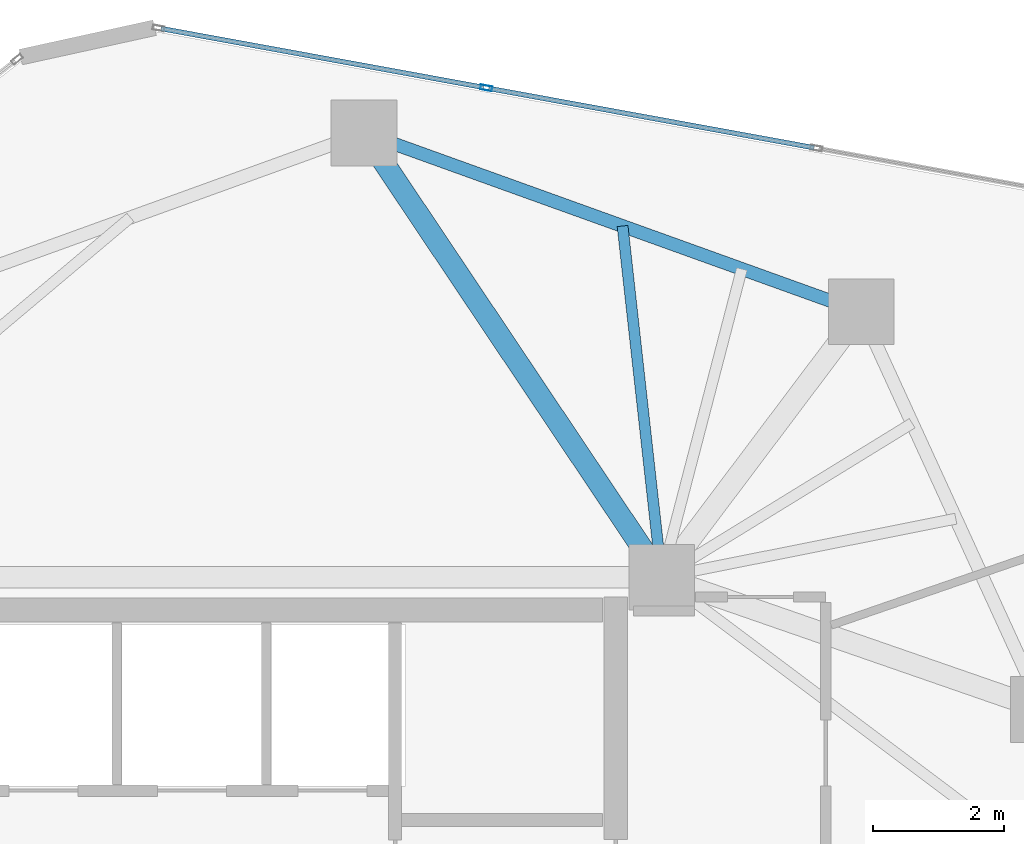
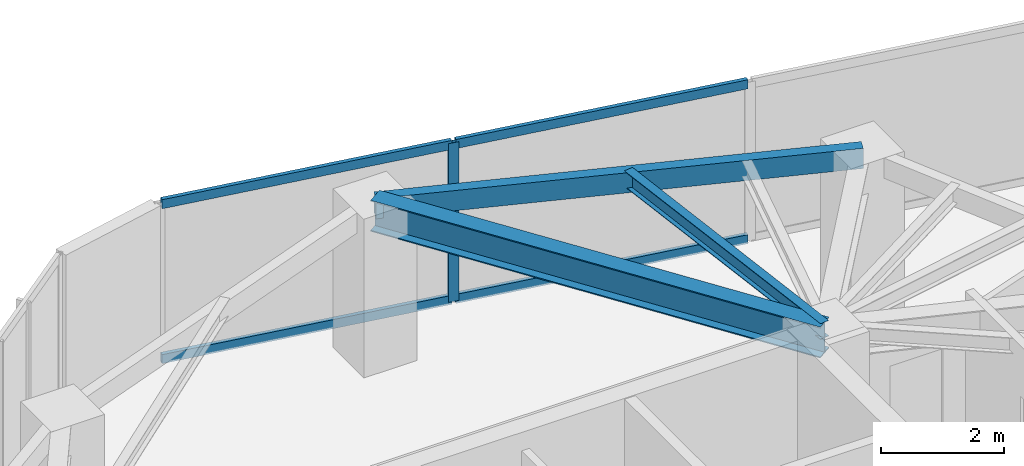
# One storey, part 15 of 21: 5 members, 3 beams, 1 element without a shape of its own.
"""IFC4 building model written with IfcOpenShell, lengths in metres."""

import ifcopenshell
import ifcopenshell.guid

model = None  # the IFC model being written
_history = None  # IfcOwnerHistory: only IFC2X3 demands one
_inside = {}  # id of a spatial element -> (the spatial element, [elements in it])
_under = {}  # id of a project, library or spatial element -> (it, [spatial elements below it])
_declared = {}  # id of a project -> (the project, [libraries it declares])
_typed = {}  # id of a type object -> (the type object, [elements of that type])
_made_of = {}  # id of a material, layer set ... -> (it, [elements and type objects made of it])


def new_model(schema):
    """Start an empty IFC model of exactly this schema.

    Asked for "IFC4X3", IfcOpenShell would pick the latest addendum, in which some entities
    have other attributes; the version numbers below select the first issue.
    IFC2X3 requires an IfcOwnerHistory on every rooted entity: one is made here for all.
    """
    global model, _history
    if schema == "IFC4X3":
        model = ifcopenshell.file(schema_version=(4, 3, 0, 0))
    else:
        model = ifcopenshell.file(schema=schema)
    _inside.clear()
    _under.clear()
    _declared.clear()
    _typed.clear()
    _made_of.clear()
    _history = None
    if model.schema == "IFC2X3":
        org = make("IfcOrganization", Name="unknown")
        user = make(
            "IfcPersonAndOrganization",
            ThePerson=make("IfcPerson", FamilyName="unknown"),
            TheOrganization=org,
        )
        app = make(
            "IfcApplication",
            ApplicationDeveloper=org,
            Version="unknown",
            ApplicationFullName="unknown",
            ApplicationIdentifier="unknown",
        )
        _history = make(
            "IfcOwnerHistory",
            OwningUser=user,
            OwningApplication=app,
            ChangeAction="ADDED",
            CreationDate=0,
        )
    return model


def make(cls, **values):
    """One entity of the class cls with the attributes given. An attribute that is None is left unset."""
    return model.create_entity(
        cls, **{name: value for name, value in values.items() if value is not None}
    )


def rooted(cls, **values):
    """An entity with a GlobalId (a new one), such as an element, a storey or a relation."""
    return make(cls, GlobalId=ifcopenshell.guid.new(), OwnerHistory=_history, **values)


def si_unit(unit_type, name, prefix=None):
    """IfcSIUnit, for example si_unit("LENGTHUNIT", "METRE", prefix="MILLI")."""
    return make("IfcSIUnit", UnitType=unit_type, Prefix=prefix, Name=name)


def assignment(units):
    """IfcUnitAssignment: the units of a project."""
    return None if units is None else make("IfcUnitAssignment", Units=units)


def point(xyz):
    """IfcCartesianPoint."""
    return None if xyz is None else make("IfcCartesianPoint", Coordinates=xyz)


def direction(xyz):
    """IfcDirection."""
    return None if xyz is None else make("IfcDirection", DirectionRatios=xyz)


def frame(location, z_axis=None, x_axis=None):
    """IfcAxis2Placement3D, a coordinate frame: its origin and axes. An axis left out is left unset."""
    return make(
        "IfcAxis2Placement3D",
        Location=point(location),
        Axis=direction(z_axis),
        RefDirection=direction(x_axis),
    )


def frame_2d(location, x_axis=None):
    """IfcAxis2Placement2D, a coordinate frame in the plane: its origin and x axis."""
    return make(
        "IfcAxis2Placement2D", Location=point(location), RefDirection=direction(x_axis)
    )


def origin():
    """The frame at (0, 0, 0) with its axes left unset."""
    return frame((0.0, 0.0, 0.0))


def origin_2d():
    """The frame at (0, 0) in the plane with its x axis left unset."""
    return frame_2d((0.0, 0.0))


def place(relative_to, where):
    """IfcLocalPlacement: puts the frame where relative to a parent placement (None: the world)."""
    return make(
        "IfcLocalPlacement", PlacementRelTo=relative_to, RelativePlacement=where
    )


def context(
    kind, dimensions, precision=None, world=None, true_north=None, identifier=None
):
    """IfcGeometricRepresentationContext, for example the 3D "Model" context."""
    return make(
        "IfcGeometricRepresentationContext",
        ContextIdentifier=identifier,
        ContextType=kind,
        CoordinateSpaceDimension=dimensions,
        Precision=precision,
        WorldCoordinateSystem=world,
        TrueNorth=true_north,
    )


def subcontext(parent, identifier, kind, view, scale=None):
    """IfcGeometricRepresentationSubContext, for example "Body" below "Model"."""
    return make(
        "IfcGeometricRepresentationSubContext",
        ContextIdentifier=identifier,
        ContextType=kind,
        ParentContext=parent,
        TargetScale=scale,
        TargetView=view,
    )


def project(units=None, contexts=None):
    """IfcProject with its units and contexts."""
    return rooted(
        "IfcProject",
        Name="project",
        RepresentationContexts=contexts,
        UnitsInContext=assignment(units),
    )


def spatial(cls, under=None, at=None, **own):
    """A site, building, storey or space (cls), placed at a placement, below another one or the project."""
    s = rooted(cls, ObjectPlacement=at, **own)
    if under is not None:
        _under.setdefault(under.id(), (under, []))[1].append(s)
    return s


def profile(cls, at=None, kind="AREA", **sizes):
    """A parametric profile (cls). Its sizes go by their IFC names, for example OverallWidth=200.0."""
    return make(cls, ProfileType=kind, Position=at, **sizes)


def hollow_rectangle(**sizes):
    """IfcRectangleHollowProfileDef."""
    return profile("IfcRectangleHollowProfileDef", **sizes)


def i_section(**sizes):
    """IfcIShapeProfileDef."""
    return profile("IfcIShapeProfileDef", **sizes)


def extrude(swept, where, along, depth):
    """IfcExtrudedAreaSolid: the profile swept, set in the frame where, extruded along a direction by depth."""
    return make(
        "IfcExtrudedAreaSolid",
        SweptArea=swept,
        Position=where,
        ExtrudedDirection=direction(along),
        Depth=depth,
    )


def shape(context_of_items, identifier, shape_type, items):
    """IfcShapeRepresentation: the items that make up one representation, for example the "Body"."""
    return make(
        "IfcShapeRepresentation",
        ContextOfItems=context_of_items,
        RepresentationIdentifier=identifier,
        RepresentationType=shape_type,
        Items=items,
    )


def source(mapping_origin, context_of_items, identifier, shape_type, items):
    """IfcRepresentationMap: a shape defined once, which mapped items show again and again."""
    return make(
        "IfcRepresentationMap",
        MappingOrigin=mapping_origin,
        MappedRepresentation=shape(context_of_items, identifier, shape_type, items),
    )


def transform(
    local_origin,
    x_axis=None,
    y_axis=None,
    z_axis=None,
    scale=None,
    scale2=None,
    scale3=None,
    uniform=True,
):
    """IfcCartesianTransformationOperator3D, or its non-uniform kind. x_axis, y_axis, z_axis: its Axis1, 2, 3."""
    if uniform:
        return make(
            "IfcCartesianTransformationOperator3D",
            Axis1=direction(x_axis),
            Axis2=direction(y_axis),
            LocalOrigin=point(local_origin),
            Scale=scale,
            Axis3=direction(z_axis),
        )
    return make(
        "IfcCartesianTransformationOperator3DnonUniform",
        Axis1=direction(x_axis),
        Axis2=direction(y_axis),
        LocalOrigin=point(local_origin),
        Scale=scale,
        Axis3=direction(z_axis),
        Scale2=scale2,
        Scale3=scale3,
    )


def mapped(mapping_source, mapping_target):
    """IfcMappedItem: shows the shape of a source again, moved by a transform."""
    return make(
        "IfcMappedItem", MappingSource=mapping_source, MappingTarget=mapping_target
    )


def material(Name=None, Category=None):
    """IfcMaterial."""
    return make("IfcMaterial", Name=Name, Category=Category)


def layer(
    of_material, thickness, ventilated=None, Name=None, Category=None, Priority=None
):
    """IfcMaterialLayer: one layer of a wall or slab, of a material (None: an air gap)."""
    return make(
        "IfcMaterialLayer",
        Material=of_material,
        LayerThickness=thickness,
        IsVentilated=ventilated,
        Name=Name,
        Category=Category,
        Priority=Priority,
    )


def layer_set(layers, Name=None):
    """IfcMaterialLayerSet."""
    return make("IfcMaterialLayerSet", MaterialLayers=layers, LayerSetName=Name)


def material_profile(
    of_material, cross_section, Name=None, Category=None, Priority=None
):
    """IfcMaterialProfile: a cross section and its material."""
    return make(
        "IfcMaterialProfile",
        Name=Name,
        Material=of_material,
        Profile=cross_section,
        Priority=Priority,
        Category=Category,
    )


def profile_set(profiles, Name=None, composite=None):
    """IfcMaterialProfileSet."""
    return make(
        "IfcMaterialProfileSet",
        Name=Name,
        MaterialProfiles=profiles,
        CompositeProfile=composite,
    )


def made_of(thing, what):
    """Note that an element or type object is made of a material, layer set ...; save() writes the relation."""
    if what is not None:
        _made_of.setdefault(what.id(), (what, []))[1].append(thing)
    return thing


def type_object(cls, material=None, **own):
    """A type object (cls), such as IfcWallType, which elements share."""
    return made_of(rooted(cls, **own), material)


def type_shapes(of_type, sources):
    """Give a type object the sources (RepresentationMaps) that its elements show as mapped items."""
    of_type.RepresentationMaps = sources


def element(
    cls,
    number,
    at=None,
    inside=None,
    cuts=None,
    type_object=None,
    material=None,
    context=None,
    identifier="Body",
    shape_type=None,
    held_by="IfcProductDefinitionShape",
    body=None,
    shapes=None,
    **own,
):
    """One element of the class cls, such as IfcWall. Its Tag is "e" and its number.

    at: its placement. inside: the storey or other place that contains it. cuts: it is an
    opening in that element (IfcRelVoidsElement). A single representation is given by context,
    identifier, shape_type and body (its items); several are given by shapes. held_by: the class
    of the entity that holds the representations. save() writes the other relations.
    """
    e = rooted(cls, Tag="e%d" % number, ObjectPlacement=at, **own)
    if body is not None:
        shapes = [shape(context, identifier, shape_type, body)]
    if shapes is not None:
        e.Representation = make(held_by, Representations=shapes)
    if inside is not None:
        _inside.setdefault(inside.id(), (inside, []))[1].append(e)
    if cuts is not None:
        rooted(
            "IfcRelVoidsElement", RelatingBuildingElement=cuts, RelatedOpeningElement=e
        )
    if type_object is not None:
        _typed.setdefault(type_object.id(), (type_object, []))[1].append(e)
    return made_of(e, material)


def aggregate(whole, parts):
    """IfcRelAggregates: a whole, such as a stair, and the parts it consists of."""
    return rooted("IfcRelAggregates", RelatingObject=whole, RelatedObjects=parts)


def save(model, path):
    """Write the relations noted so far, then the file.

    IfcRelAggregates (storeys below a building ...), IfcRelContainedInSpatialStructure (elements
    in a storey), IfcRelDefinesByType, IfcRelAssociatesMaterial and IfcRelDeclares: one each for
    every whole, place, type object, material and project.
    """
    for whole, parts in _under.values():
        aggregate(whole, parts)
    for where, things in _inside.values():
        rooted(
            "IfcRelContainedInSpatialStructure",
            RelatedElements=things,
            RelatingStructure=where,
        )
    for kind, things in _typed.values():
        rooted("IfcRelDefinesByType", RelatedObjects=things, RelatingType=kind)
    for what, things in _made_of.values():
        rooted("IfcRelAssociatesMaterial", RelatedObjects=things, RelatingMaterial=what)
    for by, libraries in _declared.values():
        rooted("IfcRelDeclares", RelatingContext=by, RelatedDefinitions=libraries)
    model.write(path)


model = new_model("IFC4")

# Units and contexts
model_context = context("Model", 3, precision=1e-05, world=origin(), true_north=direction((0.0, 1.0)))
body_context = subcontext(model_context, "Body", "Model", "MODEL_VIEW")
ifc_project = project(units=[si_unit("LENGTHUNIT", "METRE"), si_unit("AREAUNIT", "SQUARE_METRE"), si_unit("VOLUMEUNIT", "CUBIC_METRE"), si_unit("PLANEANGLEUNIT", "RADIAN"), si_unit("MASSUNIT", "GRAM", prefix="KILO")], contexts=[model_context])

# Site, building, storey
site_placement = place(None, origin())
site = spatial("IfcSite", under=ifc_project, at=site_placement, CompositionType="ELEMENT")
building_placement = place(site_placement, origin())
building = spatial("IfcBuilding", under=site, at=building_placement, Name="Talar Marvaseh", CompositionType="ELEMENT")
storey_placement = place(building_placement, frame((0.0, 0.0, 232.699951171875)))
storey = spatial("IfcBuildingStorey", under=building, at=storey_placement, Name="L61", CompositionType="ELEMENT", Elevation=232.699951171875)

# Beams
ifc_material_1 = material(Name="Steel S355", Category="steel")
ifc_material_profile_1 = material_profile(ifc_material_1, hollow_rectangle(XDim=0.199951171875, YDim=0.39990234375, WallThickness=0.013916015625, at=origin_2d()), Name="RHS400x200x14")
ifc_profile_set_1 = profile_set([ifc_material_profile_1], Name="Steel S355")
beam_type_1 = type_object("IfcBeamType", Name="Zone 3 Perimeter Spandrel Beam RHS400x200x14", PredefinedType="SPANDREL", material=ifc_profile_set_1)
beam_1_placement = place(storey_placement, frame((28.76611328125, 43.66796875, 2.949951171875), z_axis=(0.940923359576, -0.3386195969, 0.0), x_axis=(0.3386195969, 0.940923359576, 0.0)))
element("IfcBeam", 1, at=beam_1_placement, inside=storey, type_object=beam_type_1, Name="L61 Zone 3 Perimeter Spandrel Beam RHS400x200x14", PredefinedType="SPANDREL", context=body_context, shape_type="SweptSolid", body=[
    extrude(hollow_rectangle(XDim=0.199951171875, YDim=0.39990234375, WallThickness=0.013916015625, at=origin_2d()), origin(), (0.0, 0.0, 1.0), 8.050537109375),
])
ifc_material_profile_2 = material_profile(ifc_material_1, i_section(OverallWidth=0.324951171875, OverallDepth=0.615966796875, WebThickness=0.013916015625, FlangeThickness=0.021484375, at=origin_2d()), Name="W610x174")
ifc_profile_set_2 = profile_set([ifc_material_profile_2], Name="Steel S355")
beam_type_2 = type_object("IfcBeamType", Name="Zone 3 Radial Floor Girder W610x174", PredefinedType="BEAM", material=ifc_profile_set_2)
beam_2_placement = place(storey_placement, frame((28.76611328125, 43.66796875, 2.842041015625), z_axis=(0.556559209375, -0.830807948, 0.0), x_axis=(0.830807948, 0.556559209375, 0.0)))
element("IfcBeam", 2, at=beam_2_placement, inside=storey, type_object=beam_type_2, Name="L61 Zone 3 Radial Floor Girder W610x174", PredefinedType="BEAM", context=body_context, shape_type="SweptSolid", body=[
    extrude(i_section(OverallWidth=0.324951171875, OverallDepth=0.615966796875, WebThickness=0.013916015625, FlangeThickness=0.021484375, at=origin_2d()), origin(), (0.0, 0.0, 1.0), 8.146484375),
])
ifc_material_profile_3 = material_profile(ifc_material_1, i_section(OverallWidth=0.166015625, OverallDepth=0.31298828125, WebThickness=0.006591796875, FlangeThickness=0.01123046875, at=origin_2d()), Name="W310x45")
ifc_profile_set_3 = profile_set([ifc_material_profile_3], Name="Steel S355")
beam_type_3 = type_object("IfcBeamType", Name="Zone 3 Secondary Floor Joist W310x45", PredefinedType="JOIST", material=ifc_profile_set_3)
beam_3_placement = place(storey_placement, frame((32.705078125, 42.25048828125, 2.99365234375), z_axis=(0.110516140753, -0.993874329396, 0.0), x_axis=(0.993874329396, 0.110516140753, 0.0)))
element("IfcBeam", 3, at=beam_3_placement, inside=storey, type_object=beam_type_3, Name="L61 Zone 3 Secondary Floor Joist W310x45", PredefinedType="JOIST", context=body_context, shape_type="SweptSolid", body=[
    extrude(i_section(OverallWidth=0.166015625, OverallDepth=0.31298828125, WebThickness=0.006591796875, FlangeThickness=0.01123046875, at=origin_2d()), origin(), (0.0, 0.0, 1.0), 5.383544921875),
])

# Curtain wall, members
ifc_material_2 = material(Name="Architectural Aluminium", Category="aluminium")
ifc_layer = layer(ifc_material_2, 0.18994140625)
ifc_layer_set = layer_set([ifc_layer], Name="Architectural Aluminium")
curtain_wall_type = type_object("IfcCurtainWallType", Name="Unitised Solar Atelier Curtain Wall Z3", PredefinedType="NOTDEFINED", material=ifc_layer_set)
curtain_wall_placement = place(storey_placement, origin())
curtain_wall = element("IfcCurtainWall", 4, at=curtain_wall_placement, inside=storey, type_object=curtain_wall_type, Name="L61 Unitised Solar Atelier Curtain Wall Z3", PredefinedType="NOTDEFINED")
ifc_material_profile_4 = material_profile(ifc_material_2, hollow_rectangle(XDim=0.074951171875, YDim=0.179931640625, WallThickness=0.0048828125, at=origin_2d()), Name="RHS180x75x5")
ifc_profile_set_4 = profile_set([ifc_material_profile_4], Name="Architectural Aluminium")
member_type_1 = type_object("IfcMemberType", Name="Unitised Curtain Wall Transom RHS180x75x5", PredefinedType="USERDEFINED", material=ifc_profile_set_4)
shared_shape_1 = source(origin(), body_context, "Body", "SweptSolid", [
    extrude(hollow_rectangle(XDim=0.074951171875, YDim=0.179931640625, WallThickness=0.0048828125, at=origin_2d()), origin(), (0.0, 0.0, 1.0), 5.0380859375),
])
member_1_placement = place(storey_placement, frame((30.666259765625, 44.34765625, 0.03759765625), z_axis=(0.983740945281, -0.179593297695, 0.0), x_axis=(0.179593297695, 0.983740945281, 0.0)))
member_1 = element("IfcMember", 5, at=member_1_placement, type_object=member_type_1, Name="CW-Z3 transom 2.1", ObjectType="TRANSOM", PredefinedType="USERDEFINED", context=body_context, shape_type="MappedRepresentation", body=[
    mapped(shared_shape_1, transform((0.0, 0.0, 0.0), x_axis=(1.0, 0.0, 0.0), y_axis=(0.0, 1.0, 0.0), z_axis=(0.0, 0.0, 1.0), scale=1.0)),
])
member_2_placement = place(storey_placement, frame((30.666259765625, 44.34765625, 3.112548828125), z_axis=(0.983740945281, -0.179593297695, 0.0), x_axis=(0.179593297695, 0.983740945281, 0.0)))
member_2 = element("IfcMember", 6, at=member_2_placement, type_object=member_type_1, Name="CW-Z3 transom 2.2", ObjectType="TRANSOM", PredefinedType="USERDEFINED", context=body_context, shape_type="MappedRepresentation", body=[
    mapped(shared_shape_1, transform((0.0, 0.0, 0.0), x_axis=(1.0, 0.0, 0.0), y_axis=(0.0, 1.0, 0.0), z_axis=(0.0, 0.0, 1.0), scale=1.0)),
])
shared_shape_2 = source(origin(), body_context, "Body", "SweptSolid", [
    extrude(hollow_rectangle(XDim=0.074951171875, YDim=0.179931640625, WallThickness=0.0048828125, at=origin_2d()), origin(), (0.0, 0.0, 1.0), 5.00048828125),
])
type_shapes(member_type_1, [shared_shape_1, shared_shape_2])
member_3_placement = place(storey_placement, frame((25.67333984375, 45.25927734375, 0.03759765625), z_axis=(0.983736055869, -0.179620077897, 0.0), x_axis=(0.179620077897, 0.983736055869, 0.0)))
member_3 = element("IfcMember", 7, at=member_3_placement, type_object=member_type_1, Name="CW-Z3 transom 1.1", ObjectType="TRANSOM", PredefinedType="USERDEFINED", context=body_context, shape_type="MappedRepresentation", body=[
    mapped(shared_shape_2, transform((0.0, 0.0, 0.0), x_axis=(1.0, 0.0, 0.0), y_axis=(0.0, 1.0, 0.0), z_axis=(0.0, 0.0, 1.0), scale=1.0)),
])
member_4_placement = place(storey_placement, frame((25.67333984375, 45.25927734375, 3.112548828125), z_axis=(0.983736055869, -0.179620077897, 0.0), x_axis=(0.179620077897, 0.983736055869, 0.0)))
member_4 = element("IfcMember", 8, at=member_4_placement, type_object=member_type_1, Name="CW-Z3 transom 1.2", ObjectType="TRANSOM", PredefinedType="USERDEFINED", context=body_context, shape_type="MappedRepresentation", body=[
    mapped(shared_shape_2, transform((0.0, 0.0, 0.0), x_axis=(1.0, 0.0, 0.0), y_axis=(0.0, 1.0, 0.0), z_axis=(0.0, 0.0, 1.0), scale=1.0)),
])
ifc_material_profile_5 = material_profile(ifc_material_2, hollow_rectangle(XDim=0.074951171875, YDim=0.179931640625, WallThickness=0.0048828125, at=origin_2d()), Name="RHS180x75x5")
ifc_profile_set_5 = profile_set([ifc_material_profile_5], Name="Architectural Aluminium")
member_type_2 = type_object("IfcMemberType", Name="Unitised Curtain Wall Standard Mullion RHS180x75x5", PredefinedType="MULLION", material=ifc_profile_set_5)
shared_shape_3 = source(origin(), body_context, "Body", "SweptSolid", [
    extrude(hollow_rectangle(XDim=0.074951171875, YDim=0.179931640625, WallThickness=0.0048828125, at=origin_2d()), origin(), (0.0, 0.0, 1.0), 3.150146484375),
])
type_shapes(member_type_2, [shared_shape_3])
member_5_placement = place(storey_placement, frame((30.62939453125, 44.3544921875, 0.0), z_axis=(0.0, 0.0, 1.0), x_axis=(0.17959448616, 0.983740728312, 0.0)))
member_5 = element("IfcMember", 9, at=member_5_placement, type_object=member_type_2, Name="CW-Z3 mullion 2", PredefinedType="MULLION", context=body_context, shape_type="MappedRepresentation", body=[
    mapped(shared_shape_3, transform((0.0, 0.0, 0.0), x_axis=(1.0, 0.0, 0.0), y_axis=(0.0, 1.0, 0.0), z_axis=(0.0, 0.0, 1.0), scale=1.0)),
])
aggregate(curtain_wall, [member_5, member_3, member_4, member_1, member_2])

save(model, "model.ifc")
